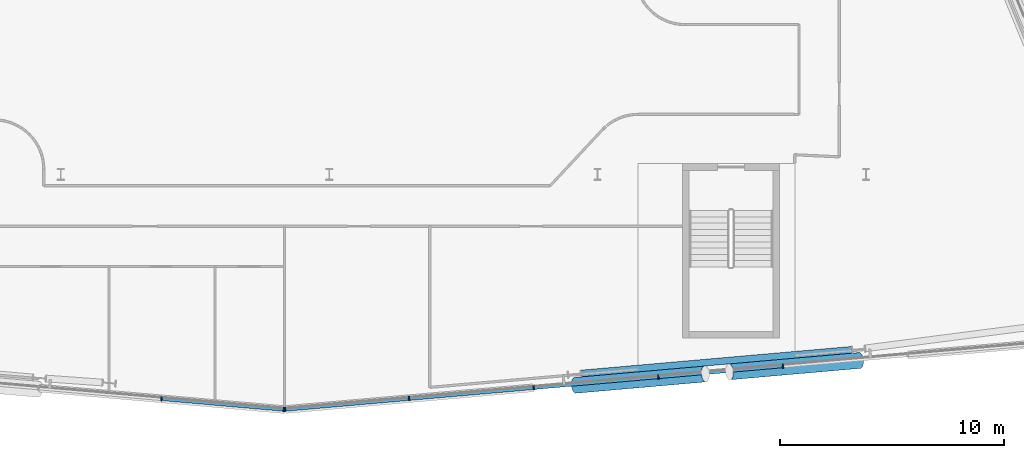
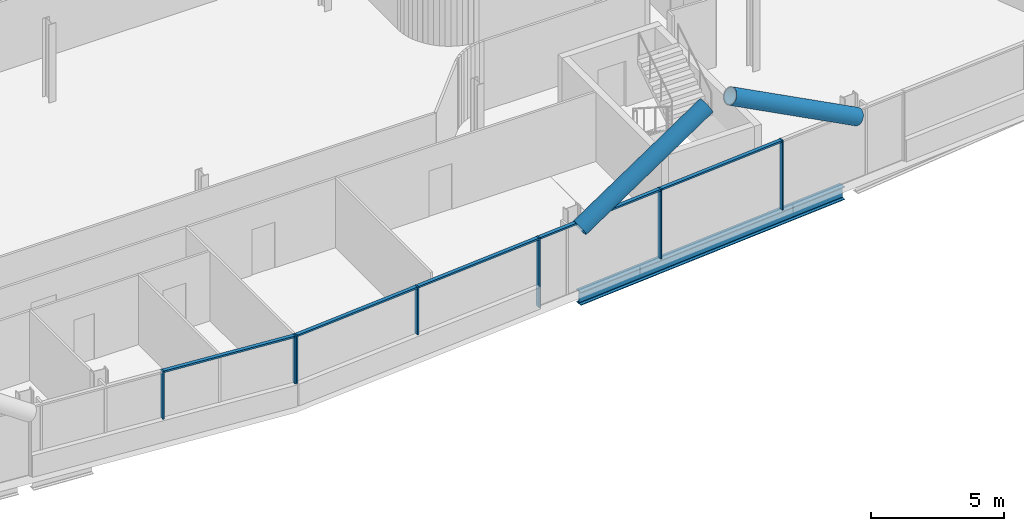
# One storey, part 8 of 29: 14 members, 1 beam, 2 elements without a shape of their own.
"""IFC4 building model written with IfcOpenShell, lengths in metres."""

import ifcopenshell
import ifcopenshell.guid

model = None  # the IFC model being written
_history = None  # IfcOwnerHistory: only IFC2X3 demands one
_inside = {}  # id of a spatial element -> (the spatial element, [elements in it])
_under = {}  # id of a project, library or spatial element -> (it, [spatial elements below it])
_declared = {}  # id of a project -> (the project, [libraries it declares])
_typed = {}  # id of a type object -> (the type object, [elements of that type])
_made_of = {}  # id of a material, layer set ... -> (it, [elements and type objects made of it])


def new_model(schema):
    """Start an empty IFC model of exactly this schema.

    Asked for "IFC4X3", IfcOpenShell would pick the latest addendum, in which some entities
    have other attributes; the version numbers below select the first issue.
    IFC2X3 requires an IfcOwnerHistory on every rooted entity: one is made here for all.
    """
    global model, _history
    if schema == "IFC4X3":
        model = ifcopenshell.file(schema_version=(4, 3, 0, 0))
    else:
        model = ifcopenshell.file(schema=schema)
    _inside.clear()
    _under.clear()
    _declared.clear()
    _typed.clear()
    _made_of.clear()
    _history = None
    if model.schema == "IFC2X3":
        org = make("IfcOrganization", Name="unknown")
        user = make(
            "IfcPersonAndOrganization",
            ThePerson=make("IfcPerson", FamilyName="unknown"),
            TheOrganization=org,
        )
        app = make(
            "IfcApplication",
            ApplicationDeveloper=org,
            Version="unknown",
            ApplicationFullName="unknown",
            ApplicationIdentifier="unknown",
        )
        _history = make(
            "IfcOwnerHistory",
            OwningUser=user,
            OwningApplication=app,
            ChangeAction="ADDED",
            CreationDate=0,
        )
    return model


def make(cls, **values):
    """One entity of the class cls with the attributes given. An attribute that is None is left unset."""
    return model.create_entity(
        cls, **{name: value for name, value in values.items() if value is not None}
    )


def rooted(cls, **values):
    """An entity with a GlobalId (a new one), such as an element, a storey or a relation."""
    return make(cls, GlobalId=ifcopenshell.guid.new(), OwnerHistory=_history, **values)


def si_unit(unit_type, name, prefix=None):
    """IfcSIUnit, for example si_unit("LENGTHUNIT", "METRE", prefix="MILLI")."""
    return make("IfcSIUnit", UnitType=unit_type, Prefix=prefix, Name=name)


def assignment(units):
    """IfcUnitAssignment: the units of a project."""
    return None if units is None else make("IfcUnitAssignment", Units=units)


def point(xyz):
    """IfcCartesianPoint."""
    return None if xyz is None else make("IfcCartesianPoint", Coordinates=xyz)


def direction(xyz):
    """IfcDirection."""
    return None if xyz is None else make("IfcDirection", DirectionRatios=xyz)


def frame(location, z_axis=None, x_axis=None):
    """IfcAxis2Placement3D, a coordinate frame: its origin and axes. An axis left out is left unset."""
    return make(
        "IfcAxis2Placement3D",
        Location=point(location),
        Axis=direction(z_axis),
        RefDirection=direction(x_axis),
    )


def frame_2d(location, x_axis=None):
    """IfcAxis2Placement2D, a coordinate frame in the plane: its origin and x axis."""
    return make(
        "IfcAxis2Placement2D", Location=point(location), RefDirection=direction(x_axis)
    )


def origin():
    """The frame at (0, 0, 0) with its axes left unset."""
    return frame((0.0, 0.0, 0.0))


def origin_2d():
    """The frame at (0, 0) in the plane with its x axis left unset."""
    return frame_2d((0.0, 0.0))


def place(relative_to, where):
    """IfcLocalPlacement: puts the frame where relative to a parent placement (None: the world)."""
    return make(
        "IfcLocalPlacement", PlacementRelTo=relative_to, RelativePlacement=where
    )


def context(
    kind, dimensions, precision=None, world=None, true_north=None, identifier=None
):
    """IfcGeometricRepresentationContext, for example the 3D "Model" context."""
    return make(
        "IfcGeometricRepresentationContext",
        ContextIdentifier=identifier,
        ContextType=kind,
        CoordinateSpaceDimension=dimensions,
        Precision=precision,
        WorldCoordinateSystem=world,
        TrueNorth=true_north,
    )


def subcontext(parent, identifier, kind, view, scale=None):
    """IfcGeometricRepresentationSubContext, for example "Body" below "Model"."""
    return make(
        "IfcGeometricRepresentationSubContext",
        ContextIdentifier=identifier,
        ContextType=kind,
        ParentContext=parent,
        TargetScale=scale,
        TargetView=view,
    )


def project(units=None, contexts=None):
    """IfcProject with its units and contexts."""
    return rooted(
        "IfcProject",
        Name="project",
        RepresentationContexts=contexts,
        UnitsInContext=assignment(units),
    )


def spatial(cls, under=None, at=None, **own):
    """A site, building, storey or space (cls), placed at a placement, below another one or the project."""
    s = rooted(cls, ObjectPlacement=at, **own)
    if under is not None:
        _under.setdefault(under.id(), (under, []))[1].append(s)
    return s


def profile(cls, at=None, kind="AREA", **sizes):
    """A parametric profile (cls). Its sizes go by their IFC names, for example OverallWidth=200.0."""
    return make(cls, ProfileType=kind, Position=at, **sizes)


def rectangle(**sizes):
    """IfcRectangleProfileDef."""
    return profile("IfcRectangleProfileDef", **sizes)


def hollow_circle(**sizes):
    """IfcCircleHollowProfileDef."""
    return profile("IfcCircleHollowProfileDef", **sizes)


def i_section(**sizes):
    """IfcIShapeProfileDef."""
    return profile("IfcIShapeProfileDef", **sizes)


def extrude(swept, where, along, depth):
    """IfcExtrudedAreaSolid: the profile swept, set in the frame where, extruded along a direction by depth."""
    return make(
        "IfcExtrudedAreaSolid",
        SweptArea=swept,
        Position=where,
        ExtrudedDirection=direction(along),
        Depth=depth,
    )


def shape(context_of_items, identifier, shape_type, items):
    """IfcShapeRepresentation: the items that make up one representation, for example the "Body"."""
    return make(
        "IfcShapeRepresentation",
        ContextOfItems=context_of_items,
        RepresentationIdentifier=identifier,
        RepresentationType=shape_type,
        Items=items,
    )


def material(Name=None, Category=None):
    """IfcMaterial."""
    return make("IfcMaterial", Name=Name, Category=Category)


def material_profile(
    of_material, cross_section, Name=None, Category=None, Priority=None
):
    """IfcMaterialProfile: a cross section and its material."""
    return make(
        "IfcMaterialProfile",
        Name=Name,
        Material=of_material,
        Profile=cross_section,
        Priority=Priority,
        Category=Category,
    )


def profile_set(profiles, Name=None, composite=None):
    """IfcMaterialProfileSet."""
    return make(
        "IfcMaterialProfileSet",
        Name=Name,
        MaterialProfiles=profiles,
        CompositeProfile=composite,
    )


def made_of(thing, what):
    """Note that an element or type object is made of a material, layer set ...; save() writes the relation."""
    if what is not None:
        _made_of.setdefault(what.id(), (what, []))[1].append(thing)
    return thing


def type_object(cls, material=None, **own):
    """A type object (cls), such as IfcWallType, which elements share."""
    return made_of(rooted(cls, **own), material)


def element(
    cls,
    number,
    at=None,
    inside=None,
    cuts=None,
    type_object=None,
    material=None,
    context=None,
    identifier="Body",
    shape_type=None,
    held_by="IfcProductDefinitionShape",
    body=None,
    shapes=None,
    **own,
):
    """One element of the class cls, such as IfcWall. Its Tag is "e" and its number.

    at: its placement. inside: the storey or other place that contains it. cuts: it is an
    opening in that element (IfcRelVoidsElement). A single representation is given by context,
    identifier, shape_type and body (its items); several are given by shapes. held_by: the class
    of the entity that holds the representations. save() writes the other relations.
    """
    e = rooted(cls, Tag="e%d" % number, ObjectPlacement=at, **own)
    if body is not None:
        shapes = [shape(context, identifier, shape_type, body)]
    if shapes is not None:
        e.Representation = make(held_by, Representations=shapes)
    if inside is not None:
        _inside.setdefault(inside.id(), (inside, []))[1].append(e)
    if cuts is not None:
        rooted(
            "IfcRelVoidsElement", RelatingBuildingElement=cuts, RelatedOpeningElement=e
        )
    if type_object is not None:
        _typed.setdefault(type_object.id(), (type_object, []))[1].append(e)
    return made_of(e, material)


def aggregate(whole, parts):
    """IfcRelAggregates: a whole, such as a stair, and the parts it consists of."""
    return rooted("IfcRelAggregates", RelatingObject=whole, RelatedObjects=parts)


def save(model, path):
    """Write the relations noted so far, then the file.

    IfcRelAggregates (storeys below a building ...), IfcRelContainedInSpatialStructure (elements
    in a storey), IfcRelDefinesByType, IfcRelAssociatesMaterial and IfcRelDeclares: one each for
    every whole, place, type object, material and project.
    """
    for whole, parts in _under.values():
        aggregate(whole, parts)
    for where, things in _inside.values():
        rooted(
            "IfcRelContainedInSpatialStructure",
            RelatedElements=things,
            RelatingStructure=where,
        )
    for kind, things in _typed.values():
        rooted("IfcRelDefinesByType", RelatedObjects=things, RelatingType=kind)
    for what, things in _made_of.values():
        rooted("IfcRelAssociatesMaterial", RelatedObjects=things, RelatingMaterial=what)
    for by, libraries in _declared.values():
        rooted("IfcRelDeclares", RelatingContext=by, RelatedDefinitions=libraries)
    model.write(path)


model = new_model("IFC4")

# Units and contexts
model_context = context("Model", 3, precision=1e-05, world=origin(), true_north=direction((0.0, 1.0)))
body_context = subcontext(model_context, "Body", "Model", "MODEL_VIEW")
ifc_project = project(units=[si_unit("LENGTHUNIT", "METRE"), si_unit("AREAUNIT", "SQUARE_METRE"), si_unit("VOLUMEUNIT", "CUBIC_METRE"), si_unit("PLANEANGLEUNIT", "RADIAN"), si_unit("MASSUNIT", "GRAM", prefix="KILO")], contexts=[model_context])

# Site, building, storey
site_placement = place(None, origin())
site = spatial("IfcSite", under=ifc_project, at=site_placement, CompositionType="ELEMENT")
building_placement = place(site_placement, origin())
building = spatial("IfcBuilding", under=site, at=building_placement, Name="Wharfspan Tower", CompositionType="ELEMENT")
storey_placement = place(building_placement, frame((0.0, 0.0, 155.5)))
storey = spatial("IfcBuildingStorey", under=building, at=storey_placement, Name="L37", CompositionType="ELEMENT", Elevation=155.5)

# Beam
ifc_material_1 = material(Name="Steel S355J2", Category="steel")
ifc_material_profile_1 = material_profile(ifc_material_1, i_section(OverallWidth=0.300049, OverallDepth=0.600098, WebThickness=0.015381, FlangeThickness=0.030029, FilletRadius=0.0271, at=origin_2d()))
ifc_profile_set_1 = profile_set([ifc_material_profile_1], Name="Steel S355J2")
beam_type = type_object("IfcBeamType", Name="Edge beam HEB 600", PredefinedType="SPANDREL", material=ifc_profile_set_1)
beam_placement = place(storey_placement, frame((59.265625, 2.600342, -0.699951), z_axis=(0.996195, 0.087155, 0.0), x_axis=(-0.087155, 0.996195, 0.0)))
element("IfcBeam", 1, at=beam_placement, inside=storey, type_object=beam_type, Name="Edge beam S2 L37 PS2.1 to PS2.2", PredefinedType="SPANDREL", context=body_context, shape_type="SweptSolid", body=[
    extrude(i_section(OverallWidth=0.300049, OverallDepth=0.600098, WebThickness=0.015381, FlangeThickness=0.030029, FilletRadius=0.0271, at=origin_2d()), origin(), (0.0, 0.0, 1.0), 12.137695),
])

# Curtain wall, members
ifc_material_2 = material(Name="Aluminium 6063-T6", Category="aluminium")
curtain_wall_type = type_object("IfcCurtainWallType", Name="CURTAIN WALL FACETED FRONT", PredefinedType="NOTDEFINED", material=ifc_material_2)
curtain_wall_1_placement = place(storey_placement, origin())
curtain_wall_1 = element("IfcCurtainWall", 2, at=curtain_wall_1_placement, inside=storey, type_object=curtain_wall_type, Name="Curtain wall S1", PredefinedType="NOTDEFINED")
ifc_material_profile_2 = material_profile(ifc_material_2, rectangle(XDim=0.199951, YDim=0.060059, at=origin_2d()))
ifc_profile_set_2 = profile_set([ifc_material_profile_2], Name="Aluminium 6063-T6")
member_type_1 = type_object("IfcMemberType", Name="MULLION FACETED FRONT 60x200", PredefinedType="MULLION", material=ifc_profile_set_2)
member_1_placement = place(storey_placement, frame((40.5, 1.469238, 1.0), z_axis=(0.0, 0.0, 1.0), x_axis=(0.087156, 0.996198, 0.0)))
member_1 = element("IfcMember", 3, at=member_1_placement, type_object=member_type_1, Name="Curtain wall S1 mullion 6", PredefinedType="MULLION", context=body_context, shape_type="SweptSolid", body=[
    extrude(rectangle(XDim=0.199951, YDim=0.060059, at=origin_2d()), origin(), (0.0, 0.0, 1.0), 2.199951),
])
member_2_placement = place(storey_placement, frame((45.970215, 0.990479, 1.0), z_axis=(0.0, 0.0, 1.0), x_axis=(0.087156, 0.996198, 0.0)))
member_2 = element("IfcMember", 4, at=member_2_placement, type_object=member_type_1, Name="Curtain wall S1 mullion 7", PredefinedType="MULLION", context=body_context, shape_type="SweptSolid", body=[
    extrude(rectangle(XDim=0.199951, YDim=0.060059, at=origin_2d()), origin(), (0.0, 0.0, 1.0), 2.199951),
])

curtain_wall_2_placement = place(storey_placement, origin())
curtain_wall_2 = element("IfcCurtainWall", 5, at=curtain_wall_2_placement, inside=storey, type_object=curtain_wall_type, Name="Curtain wall S2", PredefinedType="NOTDEFINED")
member_3_placement = place(storey_placement, frame((46.029785, 0.990479, 1.0), z_axis=(0.0, 0.0, 1.0), x_axis=(-0.087156, 0.996198, 0.0)))
member_3 = element("IfcMember", 6, at=member_3_placement, type_object=member_type_1, Name="Curtain wall S2 mullion 1", PredefinedType="MULLION", context=body_context, shape_type="SweptSolid", body=[
    extrude(rectangle(XDim=0.199951, YDim=0.060059, at=origin_2d()), origin(), (0.0, 0.0, 1.0), 2.199951),
])
member_4_placement = place(storey_placement, frame((51.571533, 1.475342, 1.0), z_axis=(0.0, 0.0, 1.0), x_axis=(-0.087156, 0.996198, 0.0)))
member_4 = element("IfcMember", 7, at=member_4_placement, type_object=member_type_1, Name="Curtain wall S2 mullion 2", PredefinedType="MULLION", context=body_context, shape_type="SweptSolid", body=[
    extrude(rectangle(XDim=0.199951, YDim=0.060059, at=origin_2d()), origin(), (0.0, 0.0, 1.0), 2.199951),
])
member_5_placement = place(storey_placement, frame((57.142822, 1.962891, 0.0), z_axis=(0.0, 0.0, 1.0), x_axis=(-0.087156, 0.996198, 0.0)))
member_5 = element("IfcMember", 8, at=member_5_placement, type_object=member_type_1, Name="Curtain wall S2 mullion 3", PredefinedType="MULLION", context=body_context, shape_type="SweptSolid", body=[
    extrude(rectangle(XDim=0.199951, YDim=0.060059, at=origin_2d()), origin(), (0.0, 0.0, 1.0), 3.199951),
])
member_6_placement = place(storey_placement, frame((62.714355, 2.450195, 0.0), z_axis=(0.0, 0.0, 1.0), x_axis=(-0.087156, 0.996198, 0.0)))
member_6 = element("IfcMember", 9, at=member_6_placement, type_object=member_type_1, Name="Curtain wall S2 mullion 4", PredefinedType="MULLION", context=body_context, shape_type="SweptSolid", body=[
    extrude(rectangle(XDim=0.199951, YDim=0.060059, at=origin_2d()), origin(), (0.0, 0.0, 1.0), 3.199951),
])
member_7_placement = place(storey_placement, frame((68.285645, 2.937744, 0.0), z_axis=(0.0, 0.0, 1.0), x_axis=(-0.087156, 0.996198, 0.0)))
member_7 = element("IfcMember", 10, at=member_7_placement, type_object=member_type_1, Name="Curtain wall S2 mullion 5", PredefinedType="MULLION", context=body_context, shape_type="SweptSolid", body=[
    extrude(rectangle(XDim=0.199951, YDim=0.060059, at=origin_2d()), origin(), (0.0, 0.0, 1.0), 3.199951),
])

# Members
ifc_material_3 = material(Name="Steel S460NH", Category="steel")
ifc_material_profile_3 = material_profile(ifc_material_3, hollow_circle(Radius=0.355469, WallThickness=0.035889, at=origin_2d()))
ifc_profile_set_3 = profile_set([ifc_material_profile_3], Name="Steel S460NH")
member_type_2 = type_object("IfcMemberType", Name="Mega brace CHS 711x36", PredefinedType="BRACE", material=ifc_profile_set_3)
member_8_placement = place(storey_placement, frame((59.004883, 2.070557, 2.899902), z_axis=(0.867427, 0.07588, 0.491745), x_axis=(-0.087145, 0.996197, 1e-06)))
element("IfcMember", 11, at=member_8_placement, inside=storey, type_object=member_type_2, Name="Mega brace S2 L38 part 1", PredefinedType="BRACE", context=body_context, shape_type="SweptSolid", body=[
    extrude(hollow_circle(Radius=0.355469, WallThickness=0.035889, at=origin_2d()), origin(), (0.0, 0.0, 1.0), 6.695557),
])
member_9_placement = place(storey_placement, frame((71.706055, 3.181641, 2.899902), z_axis=(-0.867436, -0.075878, 0.491729), x_axis=(0.08714, -0.996196, -2e-06)))
element("IfcMember", 12, at=member_9_placement, inside=storey, type_object=member_type_2, Name="Mega brace S2 L38 part 3", PredefinedType="BRACE", context=body_context, shape_type="SweptSolid", body=[
    extrude(hollow_circle(Radius=0.355469, WallThickness=0.035889, at=origin_2d()), origin(), (0.0, 0.0, 1.0), 6.695801),
])

# Member
ifc_material_profile_4 = material_profile(ifc_material_2, rectangle(XDim=0.159912, YDim=0.080078, at=origin_2d()))
ifc_profile_set_4 = profile_set([ifc_material_profile_4], Name="Aluminium 6063-T6")
member_type_3 = type_object("IfcMemberType", Name="TRANSOM FACETED FRONT 80x160", PredefinedType="USERDEFINED", material=ifc_profile_set_4)
member_10_placement = place(storey_placement, frame((40.529785, 1.466553, 3.159912), z_axis=(0.996194, -0.087163, 0.0), x_axis=(0.087163, 0.996194, 0.0)))
member_10 = element("IfcMember", 13, at=member_10_placement, type_object=member_type_3, Name="Curtain wall S1 transom 6", ObjectType="TRANSOM", PredefinedType="USERDEFINED", context=body_context, shape_type="SweptSolid", body=[
    extrude(rectangle(XDim=0.159912, YDim=0.080078, at=origin_2d()), origin(), (0.0, 0.0, 1.0), 5.431152),
])

aggregate(curtain_wall_1, [member_1, member_2, member_10])

member_11_placement = place(storey_placement, frame((46.059814, 0.993164, 3.159912), z_axis=(0.996196, 0.087139, 0.0), x_axis=(-0.087139, 0.996196, 0.0)))
member_11 = element("IfcMember", 14, at=member_11_placement, type_object=member_type_3, Name="Curtain wall S2 transom 1", ObjectType="TRANSOM", PredefinedType="USERDEFINED", context=body_context, shape_type="SweptSolid", body=[
    extrude(rectangle(XDim=0.159912, YDim=0.080078, at=origin_2d()), origin(), (0.0, 0.0, 1.0), 5.502686),
])

member_12_placement = place(storey_placement, frame((51.601318, 1.478027, 3.159912), z_axis=(0.996195, 0.087149, 0.0), x_axis=(-0.087149, 0.996195, 0.0)))
member_12 = element("IfcMember", 15, at=member_12_placement, type_object=member_type_3, Name="Curtain wall S2 transom 2", ObjectType="TRANSOM", PredefinedType="USERDEFINED", context=body_context, shape_type="SweptSolid", body=[
    extrude(rectangle(XDim=0.159912, YDim=0.080078, at=origin_2d()), origin(), (0.0, 0.0, 1.0), 5.532715),
])

member_13_placement = place(storey_placement, frame((57.172852, 1.965332, 3.159912), z_axis=(0.996191, 0.087197, 0.0), x_axis=(-0.087197, 0.996191, 0.0)))
member_13 = element("IfcMember", 16, at=member_13_placement, type_object=member_type_3, Name="Curtain wall S2 transom 3", ObjectType="TRANSOM", PredefinedType="USERDEFINED", context=body_context, shape_type="SweptSolid", body=[
    extrude(rectangle(XDim=0.159912, YDim=0.080078, at=origin_2d()), origin(), (0.0, 0.0, 1.0), 5.532471),
])

member_14_placement = place(storey_placement, frame((62.744141, 2.452881, 3.159912), z_axis=(0.996195, 0.087149, 0.0), x_axis=(-0.087149, 0.996195, 0.0)))
member_14 = element("IfcMember", 17, at=member_14_placement, type_object=member_type_3, Name="Curtain wall S2 transom 4", ObjectType="TRANSOM", PredefinedType="USERDEFINED", context=body_context, shape_type="SweptSolid", body=[
    extrude(rectangle(XDim=0.159912, YDim=0.080078, at=origin_2d()), origin(), (0.0, 0.0, 1.0), 5.532715),
])

aggregate(curtain_wall_2, [member_3, member_4, member_5, member_6, member_7, member_11, member_12, member_13, member_14])

save(model, "model.ifc")
